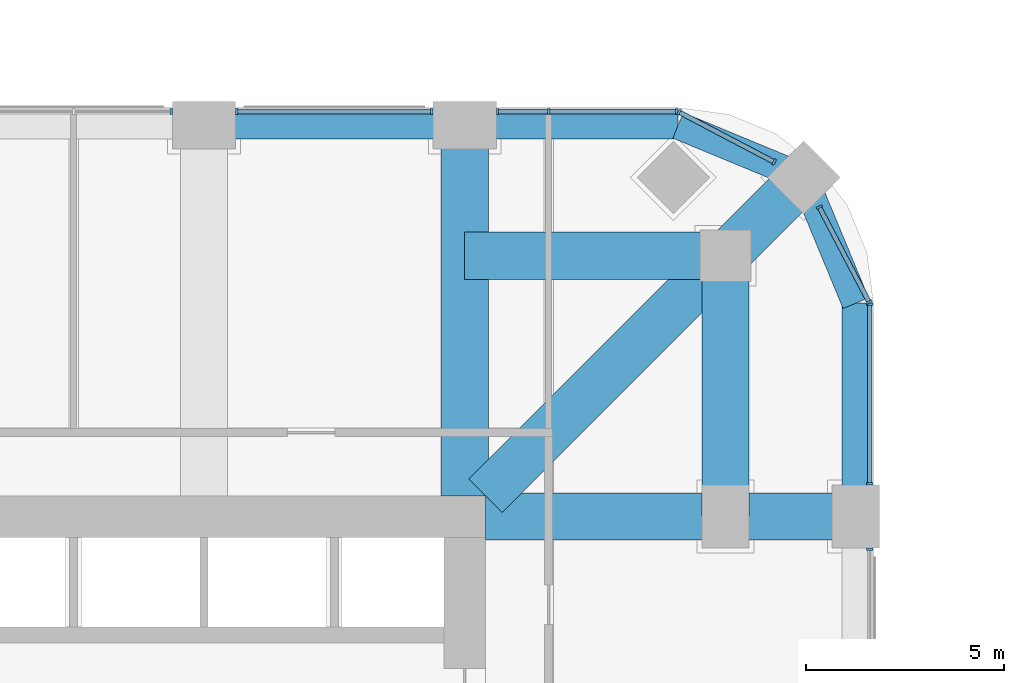
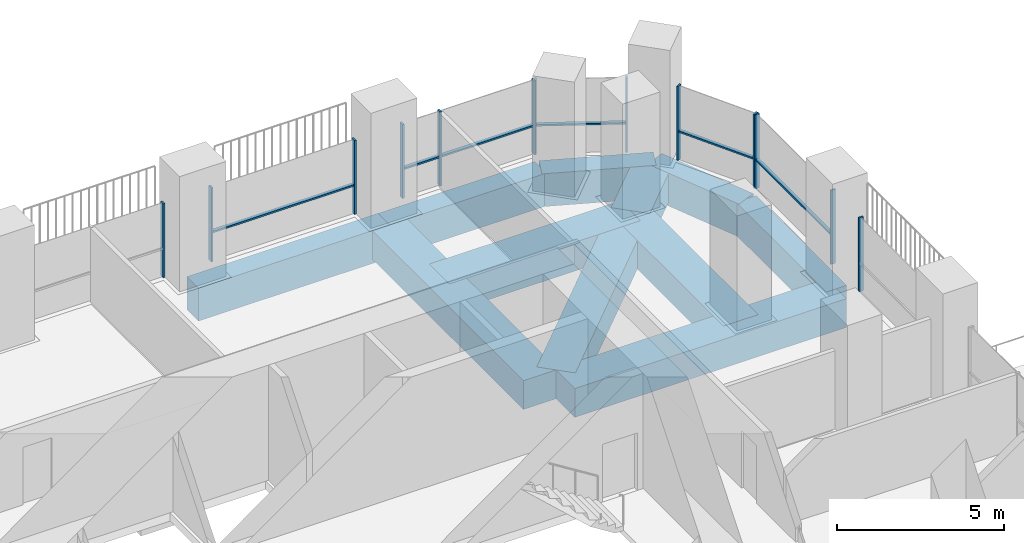
# One storey, part 7 of 19: 19 members, 11 beams, 7 elements without a shape of their own.
"""IFC4 building model written with IfcOpenShell, lengths in metres."""

from ifc_helpers import new_model, si_unit, direction, frame, origin, origin_2d, place, context, subcontext, project, spatial, rectangle, extrude, material, material_profile, profile_set, type_object, element, aggregate, save


model = new_model("IFC4")

# Units and contexts
model_context = context("Model", 3, precision=1e-05, world=origin(), true_north=direction((0.0, 1.0)))
body_context = subcontext(model_context, "Body", "Model", "MODEL_VIEW")
ifc_project = project(units=[si_unit("LENGTHUNIT", "METRE"), si_unit("AREAUNIT", "SQUARE_METRE"), si_unit("VOLUMEUNIT", "CUBIC_METRE"), si_unit("PLANEANGLEUNIT", "RADIAN"), si_unit("MASSUNIT", "GRAM", prefix="KILO")], contexts=[model_context])

# Site, building, storey
site_placement = place(None, origin())
site = spatial("IfcSite", under=ifc_project, at=site_placement, CompositionType="ELEMENT")
building_placement = place(site_placement, origin())
building = spatial("IfcBuilding", under=site, at=building_placement, Name="Cobogo Forest Laboratory Tower", CompositionType="ELEMENT")
storey_placement = place(building_placement, frame((0.0, 0.0, 159.89990234375)))
storey = spatial("IfcBuildingStorey", under=building, at=storey_placement, Name="L36", CompositionType="ELEMENT", Elevation=159.89990234375)

# Beams
ifc_material_1 = material(Name="Concrete HA-40 (C40/50)", Category="concrete")
ifc_material_profile_1 = material_profile(ifc_material_1, rectangle(XDim=1.199951171875, YDim=1.050048828125, at=origin_2d()), Name="RC 1200x1050")
ifc_profile_set_1 = profile_set([ifc_material_profile_1], Name="Concrete HA-40 (C40/50)")
beam_type_1 = type_object("IfcBeamType", Name="Laboratory floor wide beam 1200x1050", PredefinedType="BEAM", material=ifc_profile_set_1)
for number, where, z_axis, x_axis, name in (
    (1, (39.60009765625, 33.52490234375, -0.824951171875), (0.0, 1.0, 0.0), (-1.0, 0.0, 0.0), "RB1 R-7-N L36"),
    (2, (40.125, 33.0, -0.824951171875), (1.0, 0.0, 0.0), (0.0, 1.0, 0.0), "RB1 R-F-E L36"),
):
    element("IfcBeam", number, at=place(storey_placement, frame(where, z_axis=z_axis, x_axis=x_axis)), inside=storey, type_object=beam_type_1, Name=name, PredefinedType="BEAM", context=body_context, shape_type="SweptSolid", body=[
        extrude(rectangle(XDim=1.199951171875, YDim=1.050048828125, at=origin_2d()), origin(), (0.0, 0.0, 1.0), 9.375),
    ])
beam_1_placement = place(storey_placement, frame((46.199951171875, 39.60009765625, -0.824951171875), z_axis=(0.0, -1.0, 0.0), x_axis=(1.0, 0.0, 0.0)))
element("IfcBeam", 3, at=beam_1_placement, inside=storey, type_object=beam_type_1, Name="RB1 G-NE-XC L36", PredefinedType="BEAM", context=body_context, shape_type="SweptSolid", body=[
    extrude(rectangle(XDim=1.199951171875, YDim=1.050048828125, at=origin_2d()), origin(), (0.0, 0.0, 1.0), 6.60009765625),
])
beam_2_placement = place(storey_placement, frame((46.199951171875, 39.60009765625, -0.824951171875), z_axis=(-1.0, 0.0, 0.0), x_axis=(0.0, -1.0, 0.0)))
element("IfcBeam", 4, at=beam_2_placement, inside=storey, type_object=beam_type_1, Name="RB1 G-NE-YC L36", PredefinedType="BEAM", context=body_context, shape_type="SweptSolid", body=[
    extrude(rectangle(XDim=1.199951171875, YDim=1.050048828125, at=origin_2d()), origin(), (0.0, 0.0, 1.0), 6.599853515625),
])
beam_3_placement = place(storey_placement, frame((48.181884765625, 41.58203125, -0.824951171875), z_axis=(-0.707106781187, -0.707106781187, 0.0), x_axis=(0.707106781187, -0.707106781187, 0.0)))
element("IfcBeam", 5, at=beam_3_placement, inside=storey, type_object=beam_type_1, Name="RB1 G-NE-D1 L36", PredefinedType="BEAM", context=body_context, shape_type="SweptSolid", body=[
    extrude(rectangle(XDim=1.199951171875, YDim=1.050048828125, at=origin_2d()), origin(), (0.0, 0.0, 1.0), 2.802978515625),
])
beam_4_placement = place(storey_placement, frame((46.199951171875, 39.60009765625, -0.824951171875), z_axis=(-0.707092572697, -0.70712098939, 0.0), x_axis=(0.70712098939, -0.707092572697, 0.0)))
element("IfcBeam", 6, at=beam_4_placement, inside=storey, type_object=beam_type_1, Name="RB1 G-NE-D2 L36", PredefinedType="BEAM", context=body_context, shape_type="SweptSolid", body=[
    extrude(rectangle(XDim=1.199951171875, YDim=1.050048828125, at=origin_2d()), origin(), (0.0, 0.0, 1.0), 8.591552734375),
])

# Curtain wall, member
ifc_material_2 = material(Name="Aluminium curtain wall", Category="aluminium")
curtain_wall_type = type_object("IfcCurtainWallType", Name="CW-2 unitised curtain wall, solar control glazing, laboratory floors zones C and D", PredefinedType="USERDEFINED", material=ifc_material_2)
curtain_wall_1_placement = place(storey_placement, origin())
curtain_wall_1 = element("IfcCurtainWall", 7, at=curtain_wall_1_placement, inside=storey, type_object=curtain_wall_type, Name="Curtain wall 12 L36", ObjectType="UNITISED CURTAIN WALL", PredefinedType="USERDEFINED")
ifc_material_3 = material(Name="Aluminium mullion", Category="aluminium")
ifc_material_profile_2 = material_profile(ifc_material_3, rectangle(XDim=0.06005859375, YDim=0.159912109375, at=origin_2d()), Name="AL 60x160")
ifc_profile_set_2 = profile_set([ifc_material_profile_2], Name="Aluminium mullion")
member_type_1 = type_object("IfcMemberType", Name="MU-1 aluminium mullion 60x160", PredefinedType="MULLION", material=ifc_profile_set_2)
member_1_placement = place(storey_placement, frame((49.85009765625, 32.169921875, 0.0), z_axis=(0.0, 0.0, 1.0), x_axis=(0.0, 1.0, 0.0)))
member_1 = element("IfcMember", 8, at=member_1_placement, type_object=member_type_1, Name="CW-2 mullion 2", PredefinedType="MULLION", context=body_context, shape_type="SweptSolid", body=[
    extrude(rectangle(XDim=0.06005859375, YDim=0.159912109375, at=origin_2d()), origin(), (0.0, 0.0, 1.0), 2.7001953125),
])
aggregate(curtain_wall_1, [member_1])

# Curtain wall, members
curtain_wall_2_placement = place(storey_placement, origin())
curtain_wall_2 = element("IfcCurtainWall", 9, at=curtain_wall_2_placement, inside=storey, type_object=curtain_wall_type, Name="Curtain wall 13 L36", ObjectType="UNITISED CURTAIN WALL", PredefinedType="USERDEFINED")
member_2_placement = place(storey_placement, frame((49.85009765625, 33.830078125, 0.0), z_axis=(0.0, 0.0, 1.0), x_axis=(0.0, 1.0, 0.0)))
member_2 = element("IfcMember", 10, at=member_2_placement, type_object=member_type_1, Name="CW-2 mullion 1", PredefinedType="MULLION", context=body_context, shape_type="SweptSolid", body=[
    extrude(rectangle(XDim=0.06005859375, YDim=0.159912109375, at=origin_2d()), origin(), (0.0, 0.0, 1.0), 2.7001953125),
])
member_3_placement = place(storey_placement, frame((49.85009765625, 38.3701171875, 0.0), z_axis=(0.0, 0.0, 1.0), x_axis=(0.0, 1.0, 0.0)))
member_3 = element("IfcMember", 11, at=member_3_placement, type_object=member_type_1, Name="CW-2 mullion 2", PredefinedType="MULLION", context=body_context, shape_type="SweptSolid", body=[
    extrude(rectangle(XDim=0.06005859375, YDim=0.159912109375, at=origin_2d()), origin(), (0.0, 0.0, 1.0), 2.7001953125),
])

curtain_wall_3_placement = place(storey_placement, origin())
curtain_wall_3 = element("IfcCurtainWall", 12, at=curtain_wall_3_placement, inside=storey, type_object=curtain_wall_type, Name="Curtain wall 14 L36", ObjectType="UNITISED CURTAIN WALL", PredefinedType="USERDEFINED")
member_4_placement = place(storey_placement, frame((49.836181640625, 38.426513671875, 0.0), z_axis=(0.0, 0.0, 1.0), x_axis=(-0.464283685186, 0.885686547075, 0.0)))
member_4 = element("IfcMember", 13, at=member_4_placement, type_object=member_type_1, Name="CW-2 mullion 1", PredefinedType="MULLION", context=body_context, shape_type="SweptSolid", body=[
    extrude(rectangle(XDim=0.06005859375, YDim=0.159912109375, at=origin_2d()), origin(), (0.0, 0.0, 1.0), 2.7001953125),
])
member_5_placement = place(storey_placement, frame((48.5751953125, 40.831787109375, 0.0), z_axis=(0.0, 0.0, 1.0), x_axis=(-0.464283685186, 0.885686547075, 0.0)))
member_5 = element("IfcMember", 14, at=member_5_placement, type_object=member_type_1, Name="CW-2 mullion 2", PredefinedType="MULLION", context=body_context, shape_type="SweptSolid", body=[
    extrude(rectangle(XDim=0.06005859375, YDim=0.159912109375, at=origin_2d()), origin(), (0.0, 0.0, 1.0), 2.7001953125),
])

curtain_wall_4_placement = place(storey_placement, origin())
curtain_wall_4 = element("IfcCurtainWall", 15, at=curtain_wall_4_placement, inside=storey, type_object=curtain_wall_type, Name="Curtain wall 15 L36", ObjectType="UNITISED CURTAIN WALL", PredefinedType="USERDEFINED")
member_6_placement = place(storey_placement, frame((47.431640625, 41.975341796875, 0.0), z_axis=(0.0, 0.0, 1.0), x_axis=(-0.885686547075, 0.464283685186, 0.0)))
member_6 = element("IfcMember", 16, at=member_6_placement, type_object=member_type_1, Name="CW-2 mullion 1", PredefinedType="MULLION", context=body_context, shape_type="SweptSolid", body=[
    extrude(rectangle(XDim=0.06005859375, YDim=0.159912109375, at=origin_2d()), origin(), (0.0, 0.0, 1.0), 2.7001953125),
])
member_7_placement = place(storey_placement, frame((45.026611328125, 43.236083984375, 0.0), z_axis=(0.0, 0.0, 1.0), x_axis=(-0.885686547075, 0.464283685186, 0.0)))
member_7 = element("IfcMember", 17, at=member_7_placement, type_object=member_type_1, Name="CW-2 mullion 2", PredefinedType="MULLION", context=body_context, shape_type="SweptSolid", body=[
    extrude(rectangle(XDim=0.06005859375, YDim=0.159912109375, at=origin_2d()), origin(), (0.0, 0.0, 1.0), 2.7001953125),
])

curtain_wall_5_placement = place(storey_placement, origin())
curtain_wall_5 = element("IfcCurtainWall", 18, at=curtain_wall_5_placement, inside=storey, type_object=curtain_wall_type, Name="Curtain wall 16 L36", ObjectType="UNITISED CURTAIN WALL", PredefinedType="USERDEFINED")
member_8_placement = place(storey_placement, frame((44.969970703125, 43.25, 0.0), z_axis=(0.0, 0.0, 1.0), x_axis=(-1.0, 0.0, 0.0)))
member_8 = element("IfcMember", 19, at=member_8_placement, type_object=member_type_1, Name="CW-2 mullion 1", PredefinedType="MULLION", context=body_context, shape_type="SweptSolid", body=[
    extrude(rectangle(XDim=0.06005859375, YDim=0.159912109375, at=origin_2d()), origin(), (0.0, 0.0, 1.0), 2.7001953125),
])
member_9_placement = place(storey_placement, frame((41.72509765625, 43.25, 0.0), z_axis=(0.0, 0.0, 1.0), x_axis=(-1.0, 0.0, 0.0)))
member_9 = element("IfcMember", 20, at=member_9_placement, type_object=member_type_1, Name="CW-2 mullion 2", PredefinedType="MULLION", context=body_context, shape_type="SweptSolid", body=[
    extrude(rectangle(XDim=0.06005859375, YDim=0.159912109375, at=origin_2d()), origin(), (0.0, 0.0, 1.0), 2.7001953125),
])
member_10_placement = place(storey_placement, frame((40.429931640625, 43.25, 0.0), z_axis=(0.0, 0.0, 1.0), x_axis=(-1.0, 0.0, 0.0)))
member_10 = element("IfcMember", 21, at=member_10_placement, type_object=member_type_1, Name="CW-2 mullion 3", PredefinedType="MULLION", context=body_context, shape_type="SweptSolid", body=[
    extrude(rectangle(XDim=0.06005859375, YDim=0.159912109375, at=origin_2d()), origin(), (0.0, 0.0, 1.0), 2.7001953125),
])

curtain_wall_6_placement = place(storey_placement, origin())
curtain_wall_6 = element("IfcCurtainWall", 22, at=curtain_wall_6_placement, inside=storey, type_object=curtain_wall_type, Name="Curtain wall 17 L36", ObjectType="UNITISED CURTAIN WALL", PredefinedType="USERDEFINED")
member_11_placement = place(storey_placement, frame((38.77001953125, 43.25, 0.0), z_axis=(0.0, 0.0, 1.0), x_axis=(-1.0, 0.0, 0.0)))
member_11 = element("IfcMember", 23, at=member_11_placement, type_object=member_type_1, Name="CW-2 mullion 1", PredefinedType="MULLION", context=body_context, shape_type="SweptSolid", body=[
    extrude(rectangle(XDim=0.06005859375, YDim=0.159912109375, at=origin_2d()), origin(), (0.0, 0.0, 1.0), 2.7001953125),
])
member_12_placement = place(storey_placement, frame((33.830078125, 43.25, 0.0), z_axis=(0.0, 0.0, 1.0), x_axis=(-1.0, 0.0, 0.0)))
member_12 = element("IfcMember", 24, at=member_12_placement, type_object=member_type_1, Name="CW-2 mullion 2", PredefinedType="MULLION", context=body_context, shape_type="SweptSolid", body=[
    extrude(rectangle(XDim=0.06005859375, YDim=0.159912109375, at=origin_2d()), origin(), (0.0, 0.0, 1.0), 2.7001953125),
])

# Curtain wall, member
curtain_wall_7_placement = place(storey_placement, origin())
curtain_wall_7 = element("IfcCurtainWall", 25, at=curtain_wall_7_placement, inside=storey, type_object=curtain_wall_type, Name="Curtain wall 18 L36", ObjectType="UNITISED CURTAIN WALL", PredefinedType="USERDEFINED")
member_13_placement = place(storey_placement, frame((32.169921875, 43.25, 0.0), z_axis=(0.0, 0.0, 1.0), x_axis=(-1.0, 0.0, 0.0)))
member_13 = element("IfcMember", 26, at=member_13_placement, type_object=member_type_1, Name="CW-2 mullion 1", PredefinedType="MULLION", context=body_context, shape_type="SweptSolid", body=[
    extrude(rectangle(XDim=0.06005859375, YDim=0.159912109375, at=origin_2d()), origin(), (0.0, 0.0, 1.0), 2.7001953125),
])
aggregate(curtain_wall_7, [member_13])

# Beams
ifc_material_profile_3 = material_profile(ifc_material_1, rectangle(XDim=0.699951171875, YDim=1.199951171875, at=origin_2d()), Name="RC 700x1200")
ifc_profile_set_3 = profile_set([ifc_material_profile_3], Name="Concrete HA-40 (C40/50)")
beam_type_2 = type_object("IfcBeamType", Name="Perimeter edge beam 700x1200", PredefinedType="BEAM", material=ifc_profile_set_3)
beam_5_placement = place(storey_placement, frame((33.0, 42.89990234375, -0.89990234375), z_axis=(1.0, 0.0, 0.0), x_axis=(0.0, 1.0, 0.0)))
element("IfcBeam", 27, at=beam_5_placement, inside=storey, type_object=beam_type_2, Name="EB1 E-N4 L36", PredefinedType="BEAM", context=body_context, shape_type="SweptSolid", body=[
    extrude(rectangle(XDim=0.699951171875, YDim=1.199951171875, at=origin_2d()), origin(), (0.0, 0.0, 1.0), 6.60009765625),
])
beam_6_placement = place(storey_placement, frame((49.5, 33.0, -0.89990234375), z_axis=(0.0, 1.0, 0.0), x_axis=(-1.0, 0.0, 0.0)))
element("IfcBeam", 28, at=beam_6_placement, inside=storey, type_object=beam_type_2, Name="EB1 E-NEE1 L36", PredefinedType="BEAM", context=body_context, shape_type="SweptSolid", body=[
    extrude(rectangle(XDim=0.699951171875, YDim=1.199951171875, at=origin_2d()), origin(), (0.0, 0.0, 1.0), 5.39990234375),
])
beam_7_placement = place(storey_placement, frame((49.5, 38.39990234375, -0.89990234375), z_axis=(-0.382691928466, 0.923876013265, 0.0), x_axis=(-0.923876013265, -0.382691928466, 0.0)))
element("IfcBeam", 29, at=beam_7_placement, inside=storey, type_object=beam_type_2, Name="EB1 E-NEE2 L36", PredefinedType="BEAM", context=body_context, shape_type="SweptSolid", body=[
    extrude(rectangle(XDim=0.699951171875, YDim=1.199951171875, at=origin_2d()), origin(), (0.0, 0.0, 1.0), 3.4443359375),
])
beam_8_placement = place(storey_placement, frame((39.60009765625, 42.89990234375, -0.89990234375), z_axis=(1.0, 0.0, 0.0), x_axis=(0.0, 1.0, 0.0)))
element("IfcBeam", 30, at=beam_8_placement, inside=storey, type_object=beam_type_2, Name="EB1 E-NEN1 L36", PredefinedType="BEAM", context=body_context, shape_type="SweptSolid", body=[
    extrude(rectangle(XDim=0.699951171875, YDim=1.199951171875, at=origin_2d()), origin(), (0.0, 0.0, 1.0), 5.39990234375),
])
beam_9_placement = place(storey_placement, frame((45.0, 42.89990234375, -0.89990234375), z_axis=(0.923890694089, -0.382656484822, 0.0), x_axis=(0.382656484822, 0.923890694089, 0.0)))
element("IfcBeam", 31, at=beam_9_placement, inside=storey, type_object=beam_type_2, Name="EB1 E-NEN2 L36", PredefinedType="BEAM", context=body_context, shape_type="SweptSolid", body=[
    extrude(rectangle(XDim=0.699951171875, YDim=1.199951171875, at=origin_2d()), origin(), (0.0, 0.0, 1.0), 3.444091796875),
])

# Member
ifc_material_4 = material(Name="Aluminium transom", Category="aluminium")
ifc_material_profile_4 = material_profile(ifc_material_4, rectangle(XDim=0.1201171875, YDim=0.06005859375, at=origin_2d()), Name="AL 60x120")
ifc_profile_set_4 = profile_set([ifc_material_profile_4], Name="Aluminium transom")
member_type_2 = type_object("IfcMemberType", Name="TR-1 aluminium transom 60x120", PredefinedType="USERDEFINED", material=ifc_profile_set_4)
member_14_placement = place(storey_placement, frame((49.85009765625, 33.860107421875, 1.050048828125), z_axis=(0.0, 1.0, 0.0), x_axis=(-1.0, 0.0, 0.0)))
member_14 = element("IfcMember", 32, at=member_14_placement, type_object=member_type_2, Name="CW-2 transom 1.1", ObjectType="TRANSOM", PredefinedType="USERDEFINED", context=body_context, shape_type="SweptSolid", body=[
    extrude(rectangle(XDim=0.1201171875, YDim=0.06005859375, at=origin_2d()), origin(), (0.0, 0.0, 1.0), 4.47998046875),
])

aggregate(curtain_wall_2, [member_2, member_3, member_14])

member_15_placement = place(storey_placement, frame((49.822021484375, 38.453125, 1.050048828125), z_axis=(-0.464268054753, 0.885694740493, 0.0), x_axis=(-0.885694740493, -0.464268054753, 0.0)))
member_15 = element("IfcMember", 33, at=member_15_placement, type_object=member_type_2, Name="CW-2 transom 1.1", ObjectType="TRANSOM", PredefinedType="USERDEFINED", context=body_context, shape_type="SweptSolid", body=[
    extrude(rectangle(XDim=0.1201171875, YDim=0.06005859375, at=origin_2d()), origin(), (0.0, 0.0, 1.0), 2.655517578125),
])

aggregate(curtain_wall_3, [member_4, member_5, member_15])

member_16_placement = place(storey_placement, frame((47.405029296875, 41.9892578125, 1.050048828125), z_axis=(-0.885674922116, 0.464305860758, 0.0), x_axis=(-0.464305860758, -0.885674922116, 0.0)))
member_16 = element("IfcMember", 34, at=member_16_placement, type_object=member_type_2, Name="CW-2 transom 1.1", ObjectType="TRANSOM", PredefinedType="USERDEFINED", context=body_context, shape_type="SweptSolid", body=[
    extrude(rectangle(XDim=0.1201171875, YDim=0.06005859375, at=origin_2d()), origin(), (0.0, 0.0, 1.0), 2.6552734375),
])

aggregate(curtain_wall_4, [member_6, member_7, member_16])

member_17_placement = place(storey_placement, frame((44.93994140625, 43.25, 1.050048828125), z_axis=(-1.0, 0.0, 0.0), x_axis=(0.0, -1.0, 0.0)))
member_17 = element("IfcMember", 35, at=member_17_placement, type_object=member_type_2, Name="CW-2 transom 1.1", ObjectType="TRANSOM", PredefinedType="USERDEFINED", context=body_context, shape_type="SweptSolid", body=[
    extrude(rectangle(XDim=0.1201171875, YDim=0.06005859375, at=origin_2d()), origin(), (0.0, 0.0, 1.0), 3.18505859375),
])

member_18_placement = place(storey_placement, frame((41.695068359375, 43.25, 1.050048828125), z_axis=(-1.0, 0.0, 0.0), x_axis=(0.0, -1.0, 0.0)))
member_18 = element("IfcMember", 36, at=member_18_placement, type_object=member_type_2, Name="CW-2 transom 2.1", ObjectType="TRANSOM", PredefinedType="USERDEFINED", context=body_context, shape_type="SweptSolid", body=[
    extrude(rectangle(XDim=0.1201171875, YDim=0.06005859375, at=origin_2d()), origin(), (0.0, 0.0, 1.0), 1.235107421875),
])

aggregate(curtain_wall_5, [member_8, member_9, member_10, member_17, member_18])

member_19_placement = place(storey_placement, frame((38.739990234375, 43.25, 1.050048828125), z_axis=(-1.0, 0.0, 0.0), x_axis=(0.0, -1.0, 0.0)))
member_19 = element("IfcMember", 37, at=member_19_placement, type_object=member_type_2, Name="CW-2 transom 1.1", ObjectType="TRANSOM", PredefinedType="USERDEFINED", context=body_context, shape_type="SweptSolid", body=[
    extrude(rectangle(XDim=0.1201171875, YDim=0.06005859375, at=origin_2d()), origin(), (0.0, 0.0, 1.0), 4.8798828125),
])

aggregate(curtain_wall_6, [member_11, member_12, member_19])

save(model, "model.ifc")
